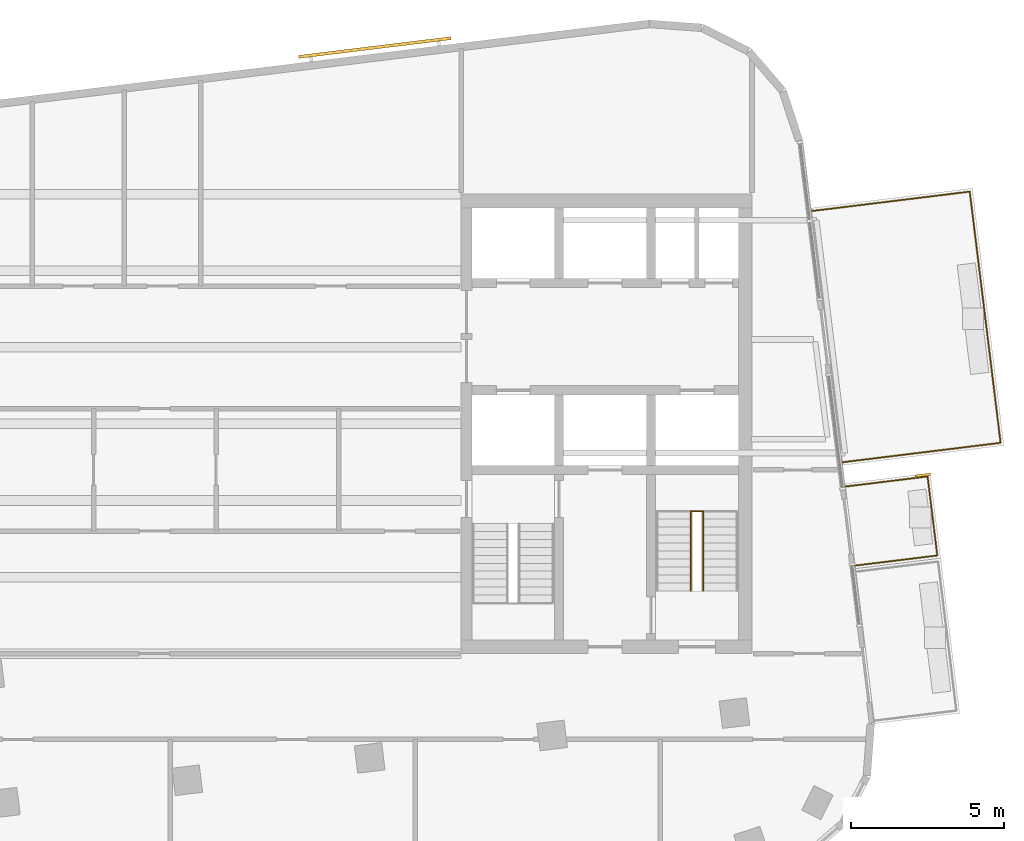
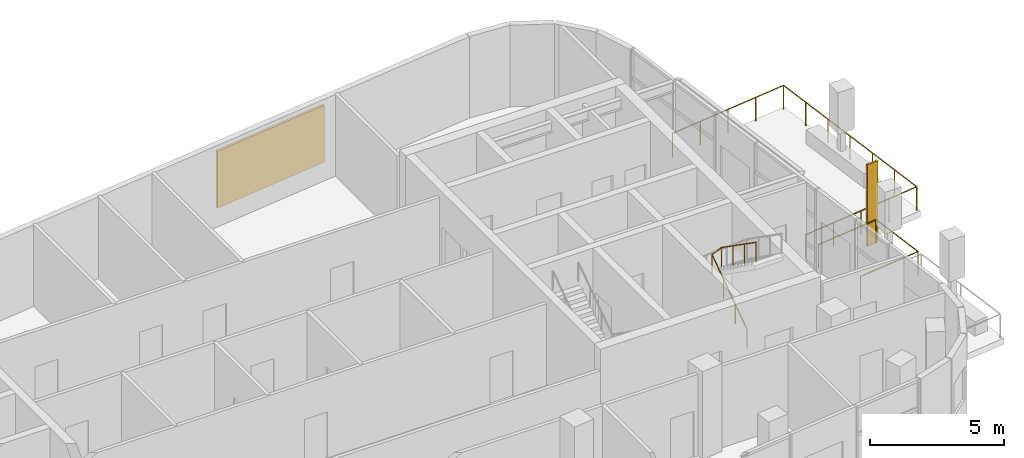
# One storey, part 13 of 14: 3 railings, 2 shading devices.
"""IFC4 building model written with IfcOpenShell, lengths in metres."""

from ifc_helpers import new_model, si_unit, direction, frame, origin, origin_2d, place, context, subcontext, project, spatial, rectangle, circle, extrude, material, layer, layer_set, type_object, element, save


model = new_model("IFC4")

# Units and contexts
model_context = context("Model", 3, precision=1e-05, world=origin(), true_north=direction((0.0, 1.0)))
body_context = subcontext(model_context, "Body", "Model", "MODEL_VIEW")
ifc_project = project(units=[si_unit("LENGTHUNIT", "METRE"), si_unit("AREAUNIT", "SQUARE_METRE"), si_unit("VOLUMEUNIT", "CUBIC_METRE"), si_unit("PLANEANGLEUNIT", "RADIAN"), si_unit("MASSUNIT", "GRAM", prefix="KILO")], contexts=[model_context])

# Site, building, storey
site_placement = place(None, origin())
site = spatial("IfcSite", under=ifc_project, at=site_placement, CompositionType="ELEMENT")
building_placement = place(site_placement, origin())
building = spatial("IfcBuilding", under=site, at=building_placement, Name="Torana Hotel and Residences", CompositionType="ELEMENT")
storey_placement = place(building_placement, frame((0.0, 0.0, 338.60009765625)))
storey = spatial("IfcBuildingStorey", under=building, at=storey_placement, Name="L89", CompositionType="ELEMENT", Elevation=338.60009765625)

# Shading device
ifc_material_1 = material(Name="Black powder coated aluminium", Category="aluminium")
ifc_layer_1 = layer(ifc_material_1, 0.080078125)
ifc_layer_set_1 = layer_set([ifc_layer_1], Name="FN1 VERTICAL FIN 500x80")
shading_device_type_1 = type_object("IfcShadingDeviceType", Name="FN1 VERTICAL FIN 500x80", PredefinedType="USERDEFINED", material=ifc_layer_set_1)
shading_device_1_placement = place(storey_placement, frame((25.075439453125, -9.17431640625, 0.0), z_axis=(0.0, 0.0, 1.0), x_axis=(0.121867611085, -0.992546364342, 0.0)))
element("IfcShadingDevice", 1, at=shading_device_1_placement, inside=storey, type_object=shading_device_type_1, Name="Fin 11", ObjectType="FIN", PredefinedType="USERDEFINED", context=body_context, shape_type="SweptSolid", body=[
    extrude(rectangle(XDim=0.080078125, YDim=0.5, at=origin_2d()), origin(), (0.0, 0.0, 1.0), 3.719970703125),
])

# Railings
ifc_material_2 = material(Name="Laminated glass balustrade with black handrail", Category="glass")
railing_type_1 = type_object("IfcRailingType", Name="GR1 BALCONY GUARD 1100 GLASS", PredefinedType="GUARDRAIL", material=ifc_material_2)
railing_1_placement = place(storey_placement, frame((22.5517578125, -9.544921875, 0.0)))
element("IfcRailing", 2, at=railing_1_placement, inside=storey, type_object=railing_type_1, Name="Balcony guard 11", PredefinedType="GUARDRAIL", context=body_context, shape_type="SweptSolid", body=[
    extrude(circle(Radius=0.02392578125, at=origin_2d()), frame((0.0, 0.0, 1.076171875), z_axis=(0.992544031017, 0.121886613265, 0.0), x_axis=(-0.121886613265, 0.992544031017, 0.0)), (0.0, 0.0, 1.0), 2.699951171875),
    extrude(circle(Radius=0.02392578125, at=origin_2d()), frame((2.679931640625, 0.3291015625, 1.076171875), z_axis=(0.121803653798, -0.992554215104, 0.0), x_axis=(0.992554215104, 0.121803653798, 0.0)), (0.0, 0.0, 1.0), 2.599609375),
    extrude(circle(Radius=0.02392578125, at=origin_2d()), frame((2.99658203125, -2.251220703125, 1.076171875), z_axis=(-0.992554965996, -0.121797534772, 0.0), x_axis=(0.121797534772, -0.992554965996, 0.0)), (0.0, 0.0, 1.0), 2.699951171875),
    extrude(circle(Radius=0.02099609375, at=origin_2d()), origin(), (0.0, 0.0, 1.0), 1.052001953125),
    extrude(circle(Radius=0.02099609375, at=origin_2d()), frame((2.679931640625, 0.3291015625, 0.0)), (0.0, 0.0, 1.0), 1.052001953125),
    extrude(circle(Radius=0.02099609375, at=origin_2d()), frame((2.99658203125, -2.251220703125, 0.0)), (0.0, 0.0, 1.0), 1.052001953125),
    extrude(circle(Radius=0.02099609375, at=origin_2d()), frame((0.316650390625, -2.580078125, 0.0)), (0.0, 0.0, 1.0), 1.052001953125),
])
railing_2_placement = place(storey_placement, frame((21.447265625, -0.54931640625, 0.0)))
element("IfcRailing", 3, at=railing_2_placement, inside=storey, type_object=railing_type_1, Name="Balcony guard 12", PredefinedType="GUARDRAIL", context=body_context, shape_type="SweptSolid", body=[
    extrude(circle(Radius=0.02392578125, at=origin_2d()), frame((0.0, 0.0, 1.076171875), z_axis=(0.992544252483, 0.121884809813, 0.0), x_axis=(-0.121884809813, 0.992544252483, 0.0)), (0.0, 0.0, 1.0), 5.199951171875),
    extrude(circle(Radius=0.02392578125, at=origin_2d()), frame((5.1611328125, 0.6337890625, 1.076171875), z_axis=(0.121878024543, -0.992545085693, 0.0), x_axis=(0.992545085693, 0.121878024543, 0.0)), (0.0, 0.0, 1.0), 8.262939453125),
    extrude(circle(Radius=0.02392578125, at=origin_2d()), frame((6.168212890625, -7.567626953125, 1.076171875), z_axis=(-0.992544949934, -0.121879130128, 0.0), x_axis=(0.121879130128, -0.992544949934, 0.0)), (0.0, 0.0, 1.0), 5.2001953125),
    extrude(circle(Radius=0.02099609375, at=origin_2d()), origin(), (0.0, 0.0, 1.0), 1.052001953125),
    extrude(circle(Radius=0.02099609375, at=origin_2d()), frame((1.290283203125, 0.158447265625, 0.0)), (0.0, 0.0, 1.0), 1.052001953125),
    extrude(circle(Radius=0.02099609375, at=origin_2d()), frame((2.58056640625, 0.31689453125, 0.0)), (0.0, 0.0, 1.0), 1.052001953125),
    extrude(circle(Radius=0.02099609375, at=origin_2d()), frame((3.870849609375, 0.475341796875, 0.0)), (0.0, 0.0, 1.0), 1.052001953125),
    extrude(circle(Radius=0.02099609375, at=origin_2d()), frame((5.1611328125, 0.6337890625, 0.0)), (0.0, 0.0, 1.0), 1.052001953125),
    extrude(circle(Radius=0.02099609375, at=origin_2d()), frame((5.3291015625, -0.733154296875, 0.0)), (0.0, 0.0, 1.0), 1.052001953125),
    extrude(circle(Radius=0.02099609375, at=origin_2d()), frame((5.496826171875, -2.10009765625, 0.0)), (0.0, 0.0, 1.0), 1.052001953125),
    extrude(circle(Radius=0.02099609375, at=origin_2d()), frame((5.66455078125, -3.466796875, 0.0)), (0.0, 0.0, 1.0), 1.052001953125),
    extrude(circle(Radius=0.02099609375, at=origin_2d()), frame((5.83251953125, -4.833740234375, 0.0)), (0.0, 0.0, 1.0), 1.052001953125),
    extrude(circle(Radius=0.02099609375, at=origin_2d()), frame((6.00048828125, -6.20068359375, 0.0)), (0.0, 0.0, 1.0), 1.052001953125),
    extrude(circle(Radius=0.02099609375, at=origin_2d()), frame((6.168212890625, -7.567626953125, 0.0)), (0.0, 0.0, 1.0), 1.052001953125),
    extrude(circle(Radius=0.02099609375, at=origin_2d()), frame((4.8779296875, -7.72607421875, 0.0)), (0.0, 0.0, 1.0), 1.052001953125),
    extrude(circle(Radius=0.02099609375, at=origin_2d()), frame((3.58740234375, -7.884521484375, 0.0)), (0.0, 0.0, 1.0), 1.052001953125),
    extrude(circle(Radius=0.02099609375, at=origin_2d()), frame((2.297119140625, -8.04296875, 0.0)), (0.0, 0.0, 1.0), 1.052001953125),
    extrude(circle(Radius=0.02099609375, at=origin_2d()), frame((1.0068359375, -8.201416015625, 0.0)), (0.0, 0.0, 1.0), 1.052001953125),
])

# Shading device
ifc_material_3 = material(Name="Concrete C40/50 precast", Category="concrete")
ifc_layer_2 = layer(ifc_material_3, 0.10009765625)
ifc_layer_set_2 = layer_set([ifc_layer_2], Name="SC1 PERFORATED BLOCK SCREEN PANEL 100")
shading_device_type_2 = type_object("IfcShadingDeviceType", Name="SC1 PERFORATED BLOCK SCREEN PANEL 100", PredefinedType="USERDEFINED", material=ifc_layer_set_2)
shading_device_2_placement = place(storey_placement, frame((7.177978515625, 4.788818359375, 0.499755859375), z_axis=(0.0, 0.0, 1.0), x_axis=(-0.99254657704, -0.121865878765, 0.0)))
element("IfcShadingDevice", 4, at=shading_device_2_placement, inside=storey, type_object=shading_device_type_2, Name="Perforated block screen L89", ObjectType="SCREEN", PredefinedType="USERDEFINED", context=body_context, shape_type="SweptSolid", body=[
    extrude(rectangle(XDim=5.0, YDim=0.10009765625, at=origin_2d()), origin(), (0.0, 0.0, 1.0), 2.60009765625),
])

# Railing
ifc_material_4 = material(Name="Stainless steel 316", Category="steel")
railing_type_2 = type_object("IfcRailingType", Name="STAIR HANDRAIL HR1 900", PredefinedType="HANDRAIL", material=ifc_material_4)
railing_3_placement = place(storey_placement, frame((17.5, -12.949951171875, 0.181640625)))
element("IfcRailing", 5, at=railing_3_placement, inside=storey, type_object=railing_type_2, Name="Handrail ST4 L89 I1", PredefinedType="HANDRAIL", context=body_context, shape_type="SweptSolid", body=[
    extrude(circle(Radius=0.02392578125, at=origin_2d()), frame((0.0, 0.0, 0.8759765625), z_axis=(0.0, 0.819459612548, 0.573136932506), x_axis=(-1.0, 0.0, 0.0)), (0.0, 0.0, 1.0), 3.172607421875),
    extrude(circle(Radius=0.02392578125, at=origin_2d()), frame((0.0, 2.599853515625, 2.6943359375), z_axis=(0.910480658332, 0.0, 0.413551654334), x_axis=(0.0, 1.0, 0.0)), (0.0, 0.0, 1.0), 0.439208984375),
    extrude(circle(Radius=0.02392578125, at=origin_2d()), frame((0.39990234375, 2.599853515625, 2.8759765625), z_axis=(0.0, -0.819459612548, 0.573136932506), x_axis=(1.0, 0.0, 0.0)), (0.0, 0.0, 1.0), 3.172607421875),
    extrude(circle(Radius=0.02099609375, at=origin_2d()), origin(), (0.0, 0.0, 1.0), 0.851806640625),
    extrude(circle(Radius=0.02099609375, at=origin_2d()), frame((0.0, 0.86669921875, 0.606201171875)), (0.0, 0.0, 1.0), 0.851806640625),
    extrude(circle(Radius=0.02099609375, at=origin_2d()), frame((0.0, 1.733154296875, 1.212158203125)), (0.0, 0.0, 1.0), 0.851806640625),
    extrude(circle(Radius=0.02099609375, at=origin_2d()), frame((0.0, 2.599853515625, 1.818359375)), (0.0, 0.0, 1.0), 0.851806640625),
    extrude(circle(Radius=0.02099609375, at=origin_2d()), frame((0.39990234375, 2.599853515625, 2.0)), (0.0, 0.0, 1.0), 0.851806640625),
    extrude(circle(Radius=0.02099609375, at=origin_2d()), frame((0.39990234375, 1.733154296875, 2.606201171875)), (0.0, 0.0, 1.0), 0.851806640625),
    extrude(circle(Radius=0.02099609375, at=origin_2d()), frame((0.39990234375, 0.86669921875, 3.212158203125)), (0.0, 0.0, 1.0), 0.851806640625),
    extrude(circle(Radius=0.02099609375, at=origin_2d()), frame((0.39990234375, 0.0, 3.818359375)), (0.0, 0.0, 1.0), 0.851806640625),
])

save(model, "model.ifc")
